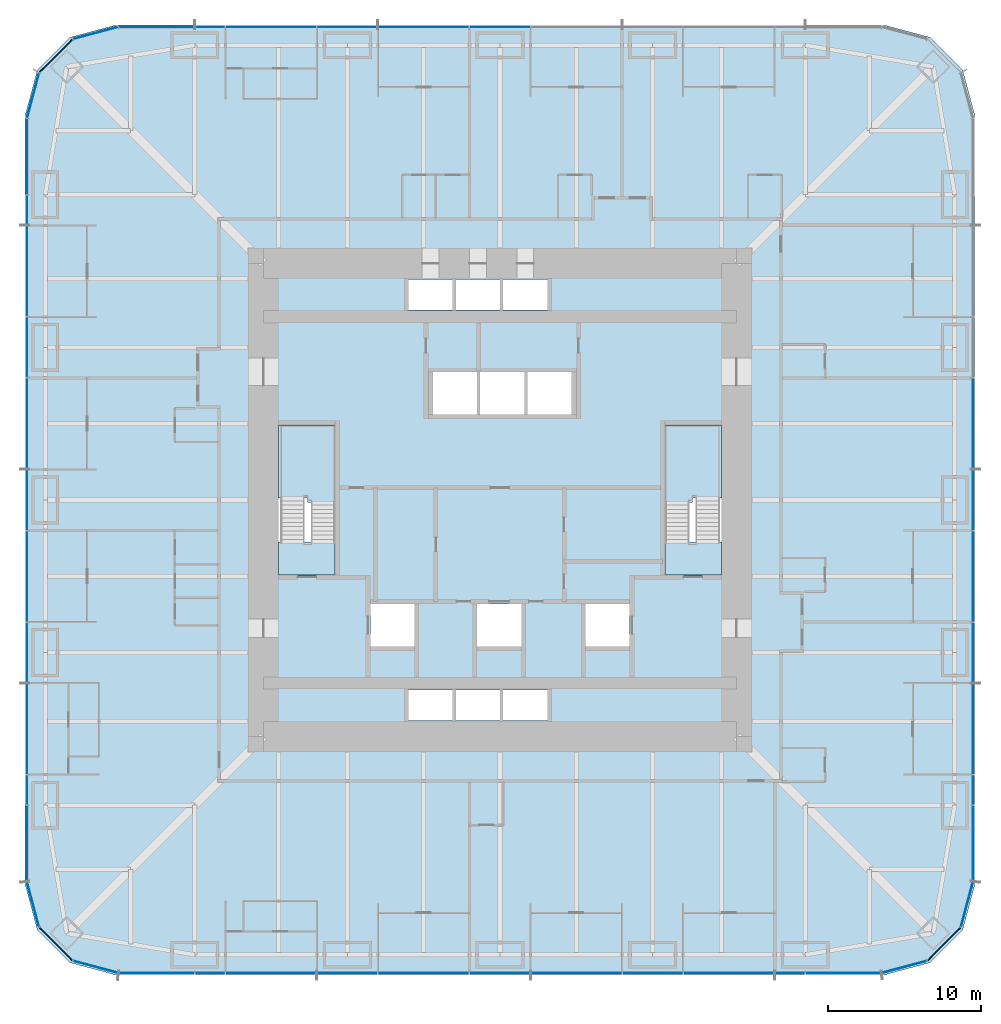
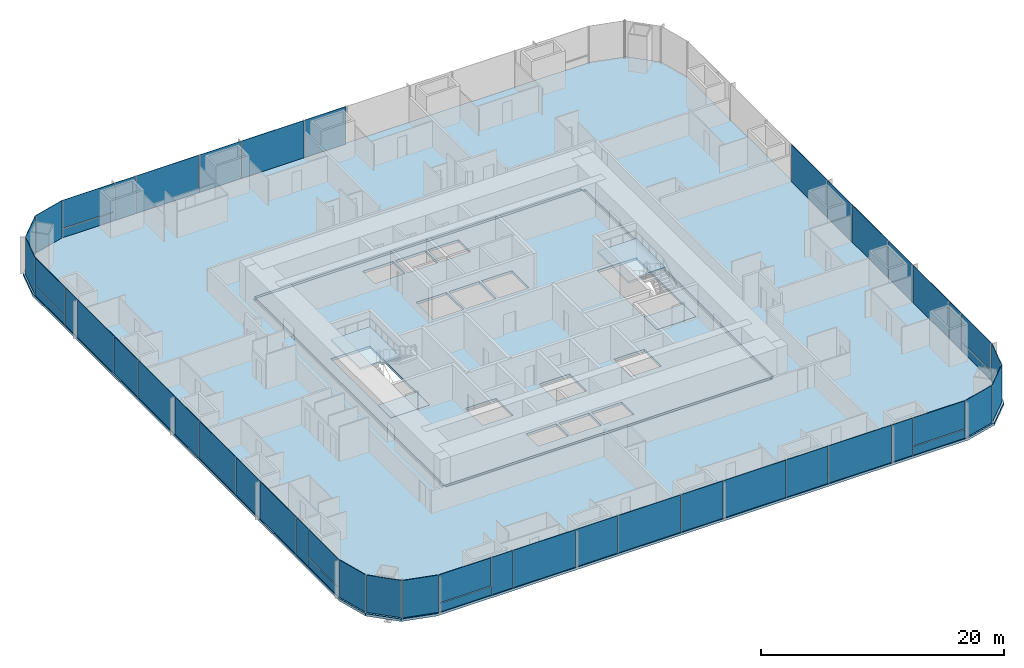
# One storey, part 10 of 17: 50 plates, 6 slabs, 9 elements without a shape of their own.
"""IFC4 building model written with IfcOpenShell, lengths in metres."""

from ifc_helpers import new_model, si_unit, direction, frame, origin, origin_2d, place, context, subcontext, project, spatial, polyline, rectangle, outline, extrude, material, layer, layer_set, type_object, element, aggregate, save


model = new_model("IFC4")

# Units and contexts
model_context = context("Model", 3, precision=1e-05, world=origin(), true_north=direction((0.0, 1.0)))
body_context = subcontext(model_context, "Body", "Model", "MODEL_VIEW")
ifc_project = project(units=[si_unit("LENGTHUNIT", "METRE"), si_unit("AREAUNIT", "SQUARE_METRE"), si_unit("VOLUMEUNIT", "CUBIC_METRE"), si_unit("PLANEANGLEUNIT", "RADIAN"), si_unit("MASSUNIT", "GRAM", prefix="KILO")], contexts=[model_context])

# Site, building, storey
site_placement = place(None, origin())
site = spatial("IfcSite", under=ifc_project, at=site_placement, CompositionType="ELEMENT")
building_placement = place(site_placement, origin())
building = spatial("IfcBuilding", under=site, at=building_placement, Name="Khuree Lantern Residences", CompositionType="ELEMENT")
storey_placement = place(building_placement, frame((0.0, 0.0, 84.75)))
storey = spatial("IfcBuildingStorey", under=building, at=storey_placement, Name="L21", CompositionType="ELEMENT", Elevation=84.75)

# Slab
ifc_material_1 = material(Name="Concrete C35/45", Category="concrete")
ifc_layer_1 = layer(ifc_material_1, 0.25)
ifc_layer_set_1 = layer_set([ifc_layer_1], Name="CFL250 CORE FLOOR SLAB 250")
slab_type_1 = type_object("IfcSlabType", Name="CFL250 CORE FLOOR SLAB 250", PredefinedType="FLOOR", material=ifc_layer_set_1)
slab_1_placement = place(storey_placement, frame((0.0, 0.0, -0.25)))
element("IfcSlab", 1, at=slab_1_placement, inside=storey, type_object=slab_type_1, Name="Core floor L21", PredefinedType="FLOOR", context=body_context, shape_type="SweptSolid", body=[
    extrude(outline(polyline([(-15.5, -15.5), (-15.5, 15.5), (15.5, 15.5), (15.5, -15.5), (-15.5, -15.5)]), holes=[polyline([(14.5, 4.89990234375), (10.800048828125, 4.89990234375), (10.800048828125, -4.89990234375), (14.5, -4.89990234375), (14.5, 4.89990234375)]), polyline([(8.5, -6.800048828125), (5.60009765625, -6.800048828125), (5.60009765625, -9.60009765625), (8.5, -9.60009765625), (8.5, -6.800048828125)]), polyline([(4.699951171875, 8.39990234375), (1.800048828125, 8.39990234375), (1.800048828125, 5.60009765625), (4.699951171875, 5.60009765625), (4.699951171875, 8.39990234375)]), polyline([(0.199951171875, -12.449951171875), (0.199951171875, -14.449951171875), (3.10009765625, -14.449951171875), (3.10009765625, -12.449951171875), (0.199951171875, -12.449951171875)]), polyline([(3.10009765625, 14.449951171875), (0.199951171875, 14.449951171875), (0.199951171875, 12.449951171875), (3.10009765625, 12.449951171875), (3.10009765625, 14.449951171875)]), polyline([(1.60009765625, 8.39990234375), (-1.300048828125, 8.39990234375), (-1.300048828125, 5.60009765625), (1.60009765625, 5.60009765625), (1.60009765625, 8.39990234375)]), polyline([(1.39990234375, -6.800048828125), (-1.5, -6.800048828125), (-1.5, -9.60009765625), (1.39990234375, -9.60009765625), (1.39990234375, -6.800048828125)]), polyline([(0.0, -12.449951171875), (-2.89990234375, -12.449951171875), (-2.89990234375, -14.449951171875), (0.0, -14.449951171875), (0.0, -12.449951171875)]), polyline([(0.0, 14.449951171875), (-2.89990234375, 14.449951171875), (-2.89990234375, 12.449951171875), (0.0, 12.449951171875), (0.0, 14.449951171875)]), polyline([(-1.5, 8.39990234375), (-4.39990234375, 8.39990234375), (-4.39990234375, 5.60009765625), (-1.5, 5.60009765625), (-1.5, 8.39990234375)]), polyline([(-6.0, -12.449951171875), (-6.0, -14.449951171875), (-3.10009765625, -14.449951171875), (-3.10009765625, -12.449951171875), (-6.0, -12.449951171875)]), polyline([(-3.10009765625, 14.449951171875), (-6.0, 14.449951171875), (-6.0, 12.449951171875), (-3.10009765625, 12.449951171875), (-3.10009765625, 14.449951171875)]), polyline([(-5.60009765625, -6.800048828125), (-8.5, -6.800048828125), (-8.5, -9.60009765625), (-5.60009765625, -9.60009765625), (-5.60009765625, -6.800048828125)]), polyline([(-10.800048828125, 4.89990234375), (-14.5, 4.89990234375), (-14.5, -4.89990234375), (-10.800048828125, -4.89990234375), (-10.800048828125, 4.89990234375)])]), origin(), (0.0, 0.0, 1.0), 0.25),
])

# Curtain wall, plates
ifc_material_2 = material(Name="Bronze anodised aluminium", Category="aluminium")
curtain_wall_type_1 = type_object("IfcCurtainWallType", Name="CW-T2 TOWER CORNER CURTAIN WALL", PredefinedType="USERDEFINED", material=ifc_material_2)
curtain_wall_1_placement = place(storey_placement, origin())
curtain_wall_1 = element("IfcCurtainWall", 2, at=curtain_wall_1_placement, inside=storey, type_object=curtain_wall_type_1, Name="L21 SOUTH-EAST CORNER CURTAIN WALL", ObjectType="Faceted corner curtain wall", PredefinedType="USERDEFINED")
ifc_material_3 = material(Name="Bronze tinted triple glazing", Category="glass")
ifc_layer_2 = layer(ifc_material_3, 0.048095703125)
ifc_layer_set_2 = layer_set([ifc_layer_2], Name="FACET PANEL P4")
plate_type_1 = type_object("IfcPlateType", Name="FACET PANEL P4", PredefinedType="CURTAIN_PANEL", material=ifc_layer_set_2)
plate_1_placement = place(storey_placement, frame((26.498046875, -30.5986328125, 0.0), z_axis=(0.0, 0.0, 1.0), x_axis=(0.965925792265, 0.258819172081, 0.0)))
plate_1 = element("IfcPlate", 3, at=plate_1_placement, type_object=plate_type_1, Name="L21 SOUTH-EAST CORNER PANEL 1.1", PredefinedType="CURTAIN_PANEL", context=body_context, shape_type="SweptSolid", body=[
    extrude(rectangle(XDim=3.02978515625, YDim=0.048095703125, at=origin_2d()), origin(), (0.0, 0.0, 1.0), 3.75),
])
plate_2_placement = place(storey_placement, frame((29.09814453125, -29.09814453125, 0.0), z_axis=(0.0, 0.0, 1.0), x_axis=(0.707106781187, 0.707106781187, 0.0)))
plate_2 = element("IfcPlate", 4, at=plate_2_placement, type_object=plate_type_1, Name="L21 SOUTH-EAST CORNER PANEL 2.1", PredefinedType="CURTAIN_PANEL", context=body_context, shape_type="SweptSolid", body=[
    extrude(rectangle(XDim=3.025634765625, YDim=0.048095703125, at=origin_2d()), origin(), (0.0, 0.0, 1.0), 3.75),
])
plate_3_placement = place(storey_placement, frame((30.5986328125, -26.498046875, 0.0), z_axis=(0.0, 0.0, 1.0), x_axis=(0.258819172081, 0.965925792265, 0.0)))
plate_3 = element("IfcPlate", 5, at=plate_3_placement, type_object=plate_type_1, Name="L21 SOUTH-EAST CORNER PANEL 3.1", PredefinedType="CURTAIN_PANEL", context=body_context, shape_type="SweptSolid", body=[
    extrude(rectangle(XDim=3.02978515625, YDim=0.048095703125, at=origin_2d()), origin(), (0.0, 0.0, 1.0), 3.75),
])
aggregate(curtain_wall_1, [plate_1, plate_2, plate_3])

curtain_wall_2_placement = place(storey_placement, origin())
curtain_wall_2 = element("IfcCurtainWall", 6, at=curtain_wall_2_placement, inside=storey, type_object=curtain_wall_type_1, Name="L21 NORTH-WEST CORNER CURTAIN WALL", ObjectType="Faceted corner curtain wall", PredefinedType="USERDEFINED")
plate_4_placement = place(storey_placement, frame((-26.498046875, 30.5986328125, 0.0), z_axis=(0.0, 0.0, 1.0), x_axis=(-0.965925792265, -0.258819172081, 0.0)))
plate_4 = element("IfcPlate", 7, at=plate_4_placement, type_object=plate_type_1, Name="L21 NORTH-WEST CORNER PANEL 29.1", PredefinedType="CURTAIN_PANEL", context=body_context, shape_type="SweptSolid", body=[
    extrude(rectangle(XDim=3.02978515625, YDim=0.048095703125, at=origin_2d()), origin(), (0.0, 0.0, 1.0), 3.75),
])
plate_5_placement = place(storey_placement, frame((-29.09814453125, 29.09814453125, 0.0), z_axis=(0.0, 0.0, 1.0), x_axis=(-0.707106781187, -0.707106781187, 0.0)))
plate_5 = element("IfcPlate", 8, at=plate_5_placement, type_object=plate_type_1, Name="L21 NORTH-WEST CORNER PANEL 30.1", PredefinedType="CURTAIN_PANEL", context=body_context, shape_type="SweptSolid", body=[
    extrude(rectangle(XDim=3.025634765625, YDim=0.048095703125, at=origin_2d()), origin(), (0.0, 0.0, 1.0), 3.75),
])
plate_6_placement = place(storey_placement, frame((-30.5986328125, 26.498046875, 0.0), z_axis=(0.0, 0.0, 1.0), x_axis=(-0.258819172081, -0.965925792265, 0.0)))
plate_6 = element("IfcPlate", 9, at=plate_6_placement, type_object=plate_type_1, Name="L21 NORTH-WEST CORNER PANEL 31.1", PredefinedType="CURTAIN_PANEL", context=body_context, shape_type="SweptSolid", body=[
    extrude(rectangle(XDim=3.02978515625, YDim=0.048095703125, at=origin_2d()), origin(), (0.0, 0.0, 1.0), 3.75),
])
aggregate(curtain_wall_2, [plate_4, plate_5, plate_6])

curtain_wall_3_placement = place(storey_placement, origin())
curtain_wall_3 = element("IfcCurtainWall", 10, at=curtain_wall_3_placement, inside=storey, type_object=curtain_wall_type_1, Name="L21 SOUTH-WEST CORNER CURTAIN WALL", ObjectType="Faceted corner curtain wall", PredefinedType="USERDEFINED")
plate_7_placement = place(storey_placement, frame((-30.5986328125, -26.498046875, 0.0), z_axis=(0.0, 0.0, 1.0), x_axis=(0.258819172081, -0.965925792265, 0.0)))
plate_7 = element("IfcPlate", 11, at=plate_7_placement, type_object=plate_type_1, Name="L21 SOUTH-WEST CORNER PANEL 43.1", PredefinedType="CURTAIN_PANEL", context=body_context, shape_type="SweptSolid", body=[
    extrude(rectangle(XDim=3.02978515625, YDim=0.048095703125, at=origin_2d()), origin(), (0.0, 0.0, 1.0), 3.75),
])
plate_8_placement = place(storey_placement, frame((-29.09814453125, -29.09814453125, 0.0), z_axis=(0.0, 0.0, 1.0), x_axis=(0.707106781187, -0.707106781187, 0.0)))
plate_8 = element("IfcPlate", 12, at=plate_8_placement, type_object=plate_type_1, Name="L21 SOUTH-WEST CORNER PANEL 44.1", PredefinedType="CURTAIN_PANEL", context=body_context, shape_type="SweptSolid", body=[
    extrude(rectangle(XDim=3.025634765625, YDim=0.048095703125, at=origin_2d()), origin(), (0.0, 0.0, 1.0), 3.75),
])
plate_9_placement = place(storey_placement, frame((-26.498046875, -30.5986328125, 0.0), z_axis=(0.0, 0.0, 1.0), x_axis=(0.965925792265, -0.258819172081, 0.0)))
plate_9 = element("IfcPlate", 13, at=plate_9_placement, type_object=plate_type_1, Name="L21 SOUTH-WEST CORNER PANEL 45.1", PredefinedType="CURTAIN_PANEL", context=body_context, shape_type="SweptSolid", body=[
    extrude(rectangle(XDim=3.02978515625, YDim=0.048095703125, at=origin_2d()), origin(), (0.0, 0.0, 1.0), 3.75),
])
aggregate(curtain_wall_3, [plate_7, plate_8, plate_9])

curtain_wall_type_2 = type_object("IfcCurtainWallType", Name="CW-T1 TOWER FACE CURTAIN WALL", PredefinedType="USERDEFINED", material=ifc_material_2)
curtain_wall_4_placement = place(storey_placement, origin())
curtain_wall_4 = element("IfcCurtainWall", 14, at=curtain_wall_4_placement, inside=storey, type_object=curtain_wall_type_2, Name="L21 EAST FACE CURTAIN WALL", ObjectType="Stick-built curtain wall", PredefinedType="USERDEFINED")
ifc_material_4 = material(Name="Bronze tinted triple glazing with a ceramic-fritted spandrel band", Category="glass")
ifc_layer_3 = layer(ifc_material_4, 0.048095703125)
ifc_layer_set_3 = layer_set([ifc_layer_3], Name="FIXED LIGHT PANEL P11")
plate_type_2 = type_object("IfcPlateType", Name="FIXED LIGHT PANEL P11", PredefinedType="CURTAIN_PANEL", material=ifc_layer_set_3)
plate_10_placement = place(storey_placement, frame((31.0, -15.0, 0.0), z_axis=(0.0, 0.0, 1.0), x_axis=(0.0, 1.0, 0.0)))
plate_10 = element("IfcPlate", 15, at=plate_10_placement, type_object=plate_type_2, Name="L21 EAST FACE PANEL 6.1", PredefinedType="CURTAIN_PANEL", context=body_context, shape_type="SweptSolid", body=[
    extrude(rectangle(XDim=5.93505859375, YDim=0.048095703125, at=origin_2d()), origin(), (0.0, 0.0, 1.0), 3.75),
])
plate_11_placement = place(storey_placement, frame((31.0, -5.0, 0.0), z_axis=(0.0, 0.0, 1.0), x_axis=(0.0, 1.0, 0.0)))
plate_11 = element("IfcPlate", 16, at=plate_11_placement, type_object=plate_type_2, Name="L21 EAST FACE PANEL 8.1", PredefinedType="CURTAIN_PANEL", context=body_context, shape_type="SweptSolid", body=[
    extrude(rectangle(XDim=5.93505859375, YDim=0.048095703125, at=origin_2d()), origin(), (0.0, 0.0, 1.0), 3.75),
])
plate_12_placement = place(storey_placement, frame((31.0, 5.0, 0.0), z_axis=(0.0, 0.0, 1.0), x_axis=(0.0, 1.0, 0.0)))
plate_12 = element("IfcPlate", 17, at=plate_12_placement, type_object=plate_type_2, Name="L21 EAST FACE PANEL 10.1", PredefinedType="CURTAIN_PANEL", context=body_context, shape_type="SweptSolid", body=[
    extrude(rectangle(XDim=5.93505859375, YDim=0.048095703125, at=origin_2d()), origin(), (0.0, 0.0, 1.0), 3.75),
])

curtain_wall_5_placement = place(storey_placement, origin())
curtain_wall_5 = element("IfcCurtainWall", 18, at=curtain_wall_5_placement, inside=storey, type_object=curtain_wall_type_2, Name="L21 NORTH FACE CURTAIN WALL", ObjectType="Stick-built curtain wall", PredefinedType="USERDEFINED")
plate_13_placement = place(storey_placement, frame((-5.0, 31.0, 0.0), z_axis=(0.0, 0.0, 1.0), x_axis=(-1.0, 0.0, 0.0)))
plate_13 = element("IfcPlate", 19, at=plate_13_placement, type_object=plate_type_2, Name="L21 NORTH FACE PANEL 24.1", PredefinedType="CURTAIN_PANEL", context=body_context, shape_type="SweptSolid", body=[
    extrude(rectangle(XDim=5.93505859375, YDim=0.048095703125, at=origin_2d()), origin(), (0.0, 0.0, 1.0), 3.75),
])
plate_14_placement = place(storey_placement, frame((-15.0, 31.0, 0.0), z_axis=(0.0, 0.0, 1.0), x_axis=(-1.0, 0.0, 0.0)))
plate_14 = element("IfcPlate", 20, at=plate_14_placement, type_object=plate_type_2, Name="L21 NORTH FACE PANEL 26.1", PredefinedType="CURTAIN_PANEL", context=body_context, shape_type="SweptSolid", body=[
    extrude(rectangle(XDim=5.93505859375, YDim=0.048095703125, at=origin_2d()), origin(), (0.0, 0.0, 1.0), 3.75),
])

curtain_wall_6_placement = place(storey_placement, origin())
curtain_wall_6 = element("IfcCurtainWall", 21, at=curtain_wall_6_placement, inside=storey, type_object=curtain_wall_type_2, Name="L21 WEST FACE CURTAIN WALL", ObjectType="Stick-built curtain wall", PredefinedType="USERDEFINED")
plate_15_placement = place(storey_placement, frame((-31.0, 15.0, 0.0), z_axis=(0.0, 0.0, 1.0), x_axis=(0.0, -1.0, 0.0)))
plate_15 = element("IfcPlate", 22, at=plate_15_placement, type_object=plate_type_2, Name="L21 WEST FACE PANEL 34.1", PredefinedType="CURTAIN_PANEL", context=body_context, shape_type="SweptSolid", body=[
    extrude(rectangle(XDim=5.93505859375, YDim=0.048095703125, at=origin_2d()), origin(), (0.0, 0.0, 1.0), 3.75),
])
plate_16_placement = place(storey_placement, frame((-31.0, 5.0, 0.0), z_axis=(0.0, 0.0, 1.0), x_axis=(0.0, -1.0, 0.0)))
plate_16 = element("IfcPlate", 23, at=plate_16_placement, type_object=plate_type_2, Name="L21 WEST FACE PANEL 36.1", PredefinedType="CURTAIN_PANEL", context=body_context, shape_type="SweptSolid", body=[
    extrude(rectangle(XDim=5.93505859375, YDim=0.048095703125, at=origin_2d()), origin(), (0.0, 0.0, 1.0), 3.75),
])
plate_17_placement = place(storey_placement, frame((-31.0, -5.0, 0.0), z_axis=(0.0, 0.0, 1.0), x_axis=(0.0, -1.0, 0.0)))
plate_17 = element("IfcPlate", 24, at=plate_17_placement, type_object=plate_type_2, Name="L21 WEST FACE PANEL 38.1", PredefinedType="CURTAIN_PANEL", context=body_context, shape_type="SweptSolid", body=[
    extrude(rectangle(XDim=5.93505859375, YDim=0.048095703125, at=origin_2d()), origin(), (0.0, 0.0, 1.0), 3.75),
])
plate_18_placement = place(storey_placement, frame((-31.0, -15.0, 0.0), z_axis=(0.0, 0.0, 1.0), x_axis=(0.0, -1.0, 0.0)))
plate_18 = element("IfcPlate", 25, at=plate_18_placement, type_object=plate_type_2, Name="L21 WEST FACE PANEL 40.1", PredefinedType="CURTAIN_PANEL", context=body_context, shape_type="SweptSolid", body=[
    extrude(rectangle(XDim=5.93505859375, YDim=0.048095703125, at=origin_2d()), origin(), (0.0, 0.0, 1.0), 3.75),
])

curtain_wall_7_placement = place(storey_placement, origin())
curtain_wall_7 = element("IfcCurtainWall", 26, at=curtain_wall_7_placement, inside=storey, type_object=curtain_wall_type_2, Name="L21 SOUTH FACE CURTAIN WALL", ObjectType="Stick-built curtain wall", PredefinedType="USERDEFINED")
plate_19_placement = place(storey_placement, frame((-15.0, -31.0, 0.0), z_axis=(0.0, 0.0, 1.0), x_axis=(1.0, 0.0, 0.0)))
plate_19 = element("IfcPlate", 27, at=plate_19_placement, type_object=plate_type_2, Name="L21 SOUTH FACE PANEL 48.1", PredefinedType="CURTAIN_PANEL", context=body_context, shape_type="SweptSolid", body=[
    extrude(rectangle(XDim=5.93505859375, YDim=0.048095703125, at=origin_2d()), origin(), (0.0, 0.0, 1.0), 3.75),
])
plate_20_placement = place(storey_placement, frame((-5.0, -31.0, 0.0), z_axis=(0.0, 0.0, 1.0), x_axis=(1.0, 0.0, 0.0)))
plate_20 = element("IfcPlate", 28, at=plate_20_placement, type_object=plate_type_2, Name="L21 SOUTH FACE PANEL 50.1", PredefinedType="CURTAIN_PANEL", context=body_context, shape_type="SweptSolid", body=[
    extrude(rectangle(XDim=5.93505859375, YDim=0.048095703125, at=origin_2d()), origin(), (0.0, 0.0, 1.0), 3.75),
])
plate_21_placement = place(storey_placement, frame((5.0, -31.0, 0.0), z_axis=(0.0, 0.0, 1.0), x_axis=(1.0, 0.0, 0.0)))
plate_21 = element("IfcPlate", 29, at=plate_21_placement, type_object=plate_type_2, Name="L21 SOUTH FACE PANEL 52.1", PredefinedType="CURTAIN_PANEL", context=body_context, shape_type="SweptSolid", body=[
    extrude(rectangle(XDim=5.93505859375, YDim=0.048095703125, at=origin_2d()), origin(), (0.0, 0.0, 1.0), 3.75),
])
plate_22_placement = place(storey_placement, frame((15.0, -31.0, 0.0), z_axis=(0.0, 0.0, 1.0), x_axis=(1.0, 0.0, 0.0)))
plate_22 = element("IfcPlate", 30, at=plate_22_placement, type_object=plate_type_2, Name="L21 SOUTH FACE PANEL 54.1", PredefinedType="CURTAIN_PANEL", context=body_context, shape_type="SweptSolid", body=[
    extrude(rectangle(XDim=5.93505859375, YDim=0.048095703125, at=origin_2d()), origin(), (0.0, 0.0, 1.0), 3.75),
])

# Slab
ifc_layer_4 = layer(ifc_material_1, 0.25)
ifc_layer_set_4 = layer_set([ifc_layer_4], Name="FS250 FLOOR SLAB 250")
slab_type_2 = type_object("IfcSlabType", Name="FS250 FLOOR SLAB 250", PredefinedType="FLOOR", material=ifc_layer_set_4)
slab_2_placement = place(storey_placement, frame((0.0, 0.0, -0.25)))
element("IfcSlab", 31, at=slab_2_placement, inside=storey, type_object=slab_type_2, Name="Floor slab L21", PredefinedType="FLOOR", context=body_context, shape_type="SweptSolid", body=[
    extrude(outline(polyline([(-28.175048828125, -30.316162109375), (-30.316162109375, -28.175048828125), (-31.10009765625, -25.25), (-31.10009765625, 25.25), (-30.316162109375, 28.175048828125), (-28.175048828125, 30.316162109375), (-25.25, 31.10009765625), (25.25, 31.10009765625), (28.175048828125, 30.316162109375), (30.316162109375, 28.175048828125), (31.10009765625, 25.25), (31.10009765625, -25.25), (30.316162109375, -28.175048828125), (28.175048828125, -30.316162109375), (25.25, -31.10009765625), (-25.25, -31.10009765625), (-28.175048828125, -30.316162109375)]), holes=[polyline([(15.75, 15.5), (15.5, 15.5), (15.5, 15.75), (-15.5, 15.75), (-15.5, 15.5), (-15.75, 15.5), (-15.75, -15.5), (-15.5, -15.5), (-15.5, -15.75), (15.5, -15.75), (15.5, -15.5), (15.75, -15.5), (15.75, 15.5)])]), origin(), (0.0, 0.0, 1.0), 0.25),
])

# Plate
ifc_material_5 = material(Name="Bronze tinted triple glazing, two aluminium-framed sashes in one frame", Category="aluminium")
ifc_layer_5 = layer(ifc_material_5, 0.048095703125)
ifc_layer_set_5 = layer_set([ifc_layer_5], Name="SASH PAIR PANEL P12")
plate_type_3 = type_object("IfcPlateType", Name="SASH PAIR PANEL P12", PredefinedType="CURTAIN_PANEL", material=ifc_layer_set_5)
plate_23_placement = place(storey_placement, frame((31.0, -10.0, 0.0), z_axis=(0.0, 0.0, 1.0), x_axis=(0.0, 1.0, 0.0)))
plate_23 = element("IfcPlate", 32, at=plate_23_placement, type_object=plate_type_3, Name="L21 EAST FACE PANEL 7.1", PredefinedType="CURTAIN_PANEL", context=body_context, shape_type="SweptSolid", body=[
    extrude(rectangle(XDim=3.93505859375, YDim=0.048095703125, at=origin_2d()), origin(), (0.0, 0.0, 1.0), 3.75),
])

plate_24_placement = place(storey_placement, frame((31.0, 0.0, 0.0), z_axis=(0.0, 0.0, 1.0), x_axis=(0.0, 1.0, 0.0)))
plate_24 = element("IfcPlate", 33, at=plate_24_placement, type_object=plate_type_3, Name="L21 EAST FACE PANEL 9.1", PredefinedType="CURTAIN_PANEL", context=body_context, shape_type="SweptSolid", body=[
    extrude(rectangle(XDim=3.93505859375, YDim=0.048095703125, at=origin_2d()), origin(), (0.0, 0.0, 1.0), 3.75),
])

plate_25_placement = place(storey_placement, frame((0.0, 31.0, 0.0), z_axis=(0.0, 0.0, 1.0), x_axis=(-1.0, 0.0, 0.0)))
plate_25 = element("IfcPlate", 34, at=plate_25_placement, type_object=plate_type_3, Name="L21 NORTH FACE PANEL 23.1", PredefinedType="CURTAIN_PANEL", context=body_context, shape_type="SweptSolid", body=[
    extrude(rectangle(XDim=3.93505859375, YDim=0.048095703125, at=origin_2d()), origin(), (0.0, 0.0, 1.0), 3.75),
])

plate_26_placement = place(storey_placement, frame((-10.0, 31.0, 0.0), z_axis=(0.0, 0.0, 1.0), x_axis=(-1.0, 0.0, 0.0)))
plate_26 = element("IfcPlate", 35, at=plate_26_placement, type_object=plate_type_3, Name="L21 NORTH FACE PANEL 25.1", PredefinedType="CURTAIN_PANEL", context=body_context, shape_type="SweptSolid", body=[
    extrude(rectangle(XDim=3.93505859375, YDim=0.048095703125, at=origin_2d()), origin(), (0.0, 0.0, 1.0), 3.75),
])

plate_27_placement = place(storey_placement, frame((-31.0, 10.0, 0.0), z_axis=(0.0, 0.0, 1.0), x_axis=(0.0, -1.0, 0.0)))
plate_27 = element("IfcPlate", 36, at=plate_27_placement, type_object=plate_type_3, Name="L21 WEST FACE PANEL 35.1", PredefinedType="CURTAIN_PANEL", context=body_context, shape_type="SweptSolid", body=[
    extrude(rectangle(XDim=3.93505859375, YDim=0.048095703125, at=origin_2d()), origin(), (0.0, 0.0, 1.0), 3.75),
])

plate_28_placement = place(storey_placement, frame((-31.0, 0.0, 0.0), z_axis=(0.0, 0.0, 1.0), x_axis=(0.0, -1.0, 0.0)))
plate_28 = element("IfcPlate", 37, at=plate_28_placement, type_object=plate_type_3, Name="L21 WEST FACE PANEL 37.1", PredefinedType="CURTAIN_PANEL", context=body_context, shape_type="SweptSolid", body=[
    extrude(rectangle(XDim=3.93505859375, YDim=0.048095703125, at=origin_2d()), origin(), (0.0, 0.0, 1.0), 3.75),
])

plate_29_placement = place(storey_placement, frame((-31.0, -10.0, 0.0), z_axis=(0.0, 0.0, 1.0), x_axis=(0.0, -1.0, 0.0)))
plate_29 = element("IfcPlate", 38, at=plate_29_placement, type_object=plate_type_3, Name="L21 WEST FACE PANEL 39.1", PredefinedType="CURTAIN_PANEL", context=body_context, shape_type="SweptSolid", body=[
    extrude(rectangle(XDim=3.93505859375, YDim=0.048095703125, at=origin_2d()), origin(), (0.0, 0.0, 1.0), 3.75),
])

plate_30_placement = place(storey_placement, frame((-10.0, -31.0, 0.0), z_axis=(0.0, 0.0, 1.0), x_axis=(1.0, 0.0, 0.0)))
plate_30 = element("IfcPlate", 39, at=plate_30_placement, type_object=plate_type_3, Name="L21 SOUTH FACE PANEL 49.1", PredefinedType="CURTAIN_PANEL", context=body_context, shape_type="SweptSolid", body=[
    extrude(rectangle(XDim=3.93505859375, YDim=0.048095703125, at=origin_2d()), origin(), (0.0, 0.0, 1.0), 3.75),
])

plate_31_placement = place(storey_placement, frame((0.0, -31.0, 0.0), z_axis=(0.0, 0.0, 1.0), x_axis=(1.0, 0.0, 0.0)))
plate_31 = element("IfcPlate", 40, at=plate_31_placement, type_object=plate_type_3, Name="L21 SOUTH FACE PANEL 51.1", PredefinedType="CURTAIN_PANEL", context=body_context, shape_type="SweptSolid", body=[
    extrude(rectangle(XDim=3.93505859375, YDim=0.048095703125, at=origin_2d()), origin(), (0.0, 0.0, 1.0), 3.75),
])

plate_32_placement = place(storey_placement, frame((10.0, -31.0, 0.0), z_axis=(0.0, 0.0, 1.0), x_axis=(1.0, 0.0, 0.0)))
plate_32 = element("IfcPlate", 41, at=plate_32_placement, type_object=plate_type_3, Name="L21 SOUTH FACE PANEL 53.1", PredefinedType="CURTAIN_PANEL", context=body_context, shape_type="SweptSolid", body=[
    extrude(rectangle(XDim=3.93505859375, YDim=0.048095703125, at=origin_2d()), origin(), (0.0, 0.0, 1.0), 3.75),
])

ifc_material_6 = material(Name="Bronze tinted triple glazing, aluminium-framed sash", Category="aluminium")
ifc_layer_6 = layer(ifc_material_6, 0.048095703125)
ifc_layer_set_6 = layer_set([ifc_layer_6], Name="SASH PANEL P3")
plate_type_4 = type_object("IfcPlateType", Name="SASH PANEL P3", PredefinedType="CURTAIN_PANEL", material=ifc_layer_set_6)
plate_33_placement = place(storey_placement, frame((31.0, -19.0, 0.0), z_axis=(0.0, 0.0, 1.0), x_axis=(0.0, 1.0, 0.0)))
plate_33 = element("IfcPlate", 42, at=plate_33_placement, type_object=plate_type_4, Name="L21 EAST FACE PANEL 5.1", PredefinedType="CURTAIN_PANEL", context=body_context, shape_type="SweptSolid", body=[
    extrude(rectangle(XDim=1.93505859375, YDim=0.048095703125, at=origin_2d()), origin(), (0.0, 0.0, 1.0), 3.75),
])

plate_34_placement = place(storey_placement, frame((-19.0, 31.0, 0.0), z_axis=(0.0, 0.0, 1.0), x_axis=(-1.0, 0.0, 0.0)))
plate_34 = element("IfcPlate", 43, at=plate_34_placement, type_object=plate_type_4, Name="L21 NORTH FACE PANEL 27.1", PredefinedType="CURTAIN_PANEL", context=body_context, shape_type="SweptSolid", body=[
    extrude(rectangle(XDim=1.93505859375, YDim=0.048095703125, at=origin_2d()), origin(), (0.0, 0.0, 1.0), 3.75),
])

plate_35_placement = place(storey_placement, frame((-31.0, 19.0, 0.0), z_axis=(0.0, 0.0, 1.0), x_axis=(0.0, -1.0, 0.0)))
plate_35 = element("IfcPlate", 44, at=plate_35_placement, type_object=plate_type_4, Name="L21 WEST FACE PANEL 33.1", PredefinedType="CURTAIN_PANEL", context=body_context, shape_type="SweptSolid", body=[
    extrude(rectangle(XDim=1.93505859375, YDim=0.048095703125, at=origin_2d()), origin(), (0.0, 0.0, 1.0), 3.75),
])

plate_36_placement = place(storey_placement, frame((-31.0, -19.0, 0.0), z_axis=(0.0, 0.0, 1.0), x_axis=(0.0, -1.0, 0.0)))
plate_36 = element("IfcPlate", 45, at=plate_36_placement, type_object=plate_type_4, Name="L21 WEST FACE PANEL 41.1", PredefinedType="CURTAIN_PANEL", context=body_context, shape_type="SweptSolid", body=[
    extrude(rectangle(XDim=1.93505859375, YDim=0.048095703125, at=origin_2d()), origin(), (0.0, 0.0, 1.0), 3.75),
])

plate_37_placement = place(storey_placement, frame((-19.0, -31.0, 0.0), z_axis=(0.0, 0.0, 1.0), x_axis=(1.0, 0.0, 0.0)))
plate_37 = element("IfcPlate", 46, at=plate_37_placement, type_object=plate_type_4, Name="L21 SOUTH FACE PANEL 47.1", PredefinedType="CURTAIN_PANEL", context=body_context, shape_type="SweptSolid", body=[
    extrude(rectangle(XDim=1.93505859375, YDim=0.048095703125, at=origin_2d()), origin(), (0.0, 0.0, 1.0), 3.75),
])

plate_38_placement = place(storey_placement, frame((19.0, -31.0, 0.0), z_axis=(0.0, 0.0, 1.0), x_axis=(1.0, 0.0, 0.0)))
plate_38 = element("IfcPlate", 47, at=plate_38_placement, type_object=plate_type_4, Name="L21 SOUTH FACE PANEL 55.1", PredefinedType="CURTAIN_PANEL", context=body_context, shape_type="SweptSolid", body=[
    extrude(rectangle(XDim=1.93505859375, YDim=0.048095703125, at=origin_2d()), origin(), (0.0, 0.0, 1.0), 3.75),
])

ifc_material_7 = material(Name="Bronze anodised aluminium insulated spandrel", Category="aluminium")
ifc_layer_7 = layer(ifc_material_7, 0.06005859375)
ifc_layer_set_7 = layer_set([ifc_layer_7], Name="SPANDREL PANEL P2")
plate_type_5 = type_object("IfcPlateType", Name="SPANDREL PANEL P2", PredefinedType="CURTAIN_PANEL", material=ifc_layer_set_7)
plate_39_placement = place(storey_placement, frame((31.0, -22.497802734375, 0.0), z_axis=(0.0, 0.0, 1.0), x_axis=(0.0, 1.0, 0.0)))
plate_39 = element("IfcPlate", 48, at=plate_39_placement, type_object=plate_type_5, Name="L21 EAST FACE PANEL 4.1", PredefinedType="CURTAIN_PANEL", context=body_context, shape_type="SweptSolid", body=[
    extrude(rectangle(XDim=4.9306640625, YDim=0.06005859375, at=origin_2d()), origin(), (0.0, 0.0, 1.0), 0.867431640625),
])

plate_40_placement = place(storey_placement, frame((-22.497802734375, 31.0, 0.0), z_axis=(0.0, 0.0, 1.0), x_axis=(-1.0, 0.0, 0.0)))
plate_40 = element("IfcPlate", 49, at=plate_40_placement, type_object=plate_type_5, Name="L21 NORTH FACE PANEL 28.1", PredefinedType="CURTAIN_PANEL", context=body_context, shape_type="SweptSolid", body=[
    extrude(rectangle(XDim=4.9306640625, YDim=0.06005859375, at=origin_2d()), origin(), (0.0, 0.0, 1.0), 0.867431640625),
])

plate_41_placement = place(storey_placement, frame((-31.0, 22.497802734375, 0.0), z_axis=(0.0, 0.0, 1.0), x_axis=(0.0, -1.0, 0.0)))
plate_41 = element("IfcPlate", 50, at=plate_41_placement, type_object=plate_type_5, Name="L21 WEST FACE PANEL 32.1", PredefinedType="CURTAIN_PANEL", context=body_context, shape_type="SweptSolid", body=[
    extrude(rectangle(XDim=4.9306640625, YDim=0.06005859375, at=origin_2d()), origin(), (0.0, 0.0, 1.0), 0.867431640625),
])

plate_42_placement = place(storey_placement, frame((-31.0, -22.497802734375, 0.0), z_axis=(0.0, 0.0, 1.0), x_axis=(0.0, -1.0, 0.0)))
plate_42 = element("IfcPlate", 51, at=plate_42_placement, type_object=plate_type_5, Name="L21 WEST FACE PANEL 42.1", PredefinedType="CURTAIN_PANEL", context=body_context, shape_type="SweptSolid", body=[
    extrude(rectangle(XDim=4.9306640625, YDim=0.06005859375, at=origin_2d()), origin(), (0.0, 0.0, 1.0), 0.867431640625),
])

plate_43_placement = place(storey_placement, frame((-22.497802734375, -31.0, 0.0), z_axis=(0.0, 0.0, 1.0), x_axis=(1.0, 0.0, 0.0)))
plate_43 = element("IfcPlate", 52, at=plate_43_placement, type_object=plate_type_5, Name="L21 SOUTH FACE PANEL 46.1", PredefinedType="CURTAIN_PANEL", context=body_context, shape_type="SweptSolid", body=[
    extrude(rectangle(XDim=4.9306640625, YDim=0.06005859375, at=origin_2d()), origin(), (0.0, 0.0, 1.0), 0.867431640625),
])

plate_44_placement = place(storey_placement, frame((22.497802734375, -31.0, 0.0), z_axis=(0.0, 0.0, 1.0), x_axis=(1.0, 0.0, 0.0)))
plate_44 = element("IfcPlate", 53, at=plate_44_placement, type_object=plate_type_5, Name="L21 SOUTH FACE PANEL 56.1", PredefinedType="CURTAIN_PANEL", context=body_context, shape_type="SweptSolid", body=[
    extrude(rectangle(XDim=4.9306640625, YDim=0.06005859375, at=origin_2d()), origin(), (0.0, 0.0, 1.0), 0.867431640625),
])

# Stair, slabs
ifc_material_8 = material(Name="Concrete C40/50", Category="concrete")
stair_type = type_object("IfcStairType", Name="STAIR ST1 HALF TURN 3600", PredefinedType="HALF_TURN_STAIR", material=ifc_material_8)
stair_1_placement = place(storey_placement, origin())
stair_1 = element("IfcStair", 54, at=stair_1_placement, inside=storey, type_object=stair_type, Name="Stair ST1", PredefinedType="HALF_TURN_STAIR")
ifc_layer_8 = layer(ifc_material_8, 0.199951171875)
ifc_layer_set_8 = layer_set([ifc_layer_8], Name="STAIR LANDING SL1 200")
slab_type_3 = type_object("IfcSlabType", Name="STAIR LANDING SL1 200", PredefinedType="LANDING", material=ifc_layer_set_8)
slab_3_placement = place(storey_placement, frame((0.0, 0.0, -0.199951171875)))
slab_3 = element("IfcSlab", 55, at=slab_3_placement, type_object=slab_type_3, Name="ST1 landing 1", PredefinedType="LANDING", context=body_context, shape_type="SweptSolid", body=[
    extrude(outline(polyline([(-14.5, -4.89990234375), (-10.800048828125, -4.89990234375), (-10.800048828125, -2.760009765625), (-14.5, -2.760009765625), (-14.5, -4.89990234375)])), origin(), (0.0, 0.0, 1.0), 0.199951171875),
])
slab_4_placement = place(storey_placement, frame((0.0, 0.0, 1.756591796875)))
slab_4 = element("IfcSlab", 56, at=slab_4_placement, type_object=slab_type_3, Name="ST1 landing 2", PredefinedType="LANDING", context=body_context, shape_type="SweptSolid", body=[
    extrude(outline(polyline([(-14.5, 0.1201171875), (-14.5, 4.89990234375), (-10.800048828125, 4.89990234375), (-10.800048828125, -0.159912109375), (-12.60009765625, -0.159912109375), (-12.60009765625, 0.1201171875), (-14.5, 0.1201171875)])), origin(), (0.0, 0.0, 1.0), 0.199951171875),
])
aggregate(stair_1, [slab_3, slab_4])

stair_2_placement = place(storey_placement, origin())
stair_2 = element("IfcStair", 57, at=stair_2_placement, inside=storey, type_object=stair_type, Name="Stair ST2", PredefinedType="HALF_TURN_STAIR")
slab_5_placement = place(storey_placement, frame((0.0, 0.0, -0.199951171875)))
slab_5 = element("IfcSlab", 58, at=slab_5_placement, type_object=slab_type_3, Name="ST2 landing 1", PredefinedType="LANDING", context=body_context, shape_type="SweptSolid", body=[
    extrude(outline(polyline([(10.800048828125, -4.89990234375), (14.5, -4.89990234375), (14.5, -2.760009765625), (10.800048828125, -2.760009765625), (10.800048828125, -4.89990234375)])), origin(), (0.0, 0.0, 1.0), 0.199951171875),
])
slab_6_placement = place(storey_placement, frame((0.0, 0.0, 1.756591796875)))
slab_6 = element("IfcSlab", 59, at=slab_6_placement, type_object=slab_type_3, Name="ST2 landing 2", PredefinedType="LANDING", context=body_context, shape_type="SweptSolid", body=[
    extrude(outline(polyline([(14.5, 4.89990234375), (14.5, 0.1201171875), (12.60009765625, 0.1201171875), (12.60009765625, -0.159912109375), (10.800048828125, -0.159912109375), (10.800048828125, 4.89990234375), (14.5, 4.89990234375)])), origin(), (0.0, 0.0, 1.0), 0.199951171875),
])
aggregate(stair_2, [slab_5, slab_6])

# Plate
ifc_layer_9 = layer(ifc_material_3, 0.048095703125)
ifc_layer_set_9 = layer_set([ifc_layer_9], Name="VISION PANEL P1")
plate_type_6 = type_object("IfcPlateType", Name="VISION PANEL P1", PredefinedType="CURTAIN_PANEL", material=ifc_layer_set_9)
plate_45_placement = place(storey_placement, frame((31.0, -22.498291015625, 0.9326171875), z_axis=(0.0, 0.0, 1.0), x_axis=(0.0, 1.0, 0.0)))
plate_45 = element("IfcPlate", 60, at=plate_45_placement, type_object=plate_type_6, Name="L21 EAST FACE PANEL 4.2", PredefinedType="CURTAIN_PANEL", context=body_context, shape_type="SweptSolid", body=[
    extrude(rectangle(XDim=4.931640625, YDim=0.048095703125, at=origin_2d()), origin(), (0.0, 0.0, 1.0), 2.8173828125),
])

aggregate(curtain_wall_4, [plate_39, plate_45, plate_33, plate_10, plate_23, plate_11, plate_24, plate_12])

plate_46_placement = place(storey_placement, frame((-22.498291015625, 31.0, 0.9326171875), z_axis=(0.0, 0.0, 1.0), x_axis=(-1.0, 0.0, 0.0)))
plate_46 = element("IfcPlate", 61, at=plate_46_placement, type_object=plate_type_6, Name="L21 NORTH FACE PANEL 28.2", PredefinedType="CURTAIN_PANEL", context=body_context, shape_type="SweptSolid", body=[
    extrude(rectangle(XDim=4.931640625, YDim=0.048095703125, at=origin_2d()), origin(), (0.0, 0.0, 1.0), 2.8173828125),
])

aggregate(curtain_wall_5, [plate_25, plate_13, plate_26, plate_14, plate_34, plate_40, plate_46])

plate_47_placement = place(storey_placement, frame((-31.0, 22.498291015625, 0.9326171875), z_axis=(0.0, 0.0, 1.0), x_axis=(0.0, -1.0, 0.0)))
plate_47 = element("IfcPlate", 62, at=plate_47_placement, type_object=plate_type_6, Name="L21 WEST FACE PANEL 32.2", PredefinedType="CURTAIN_PANEL", context=body_context, shape_type="SweptSolid", body=[
    extrude(rectangle(XDim=4.931640625, YDim=0.048095703125, at=origin_2d()), origin(), (0.0, 0.0, 1.0), 2.8173828125),
])

plate_48_placement = place(storey_placement, frame((-31.0, -22.498291015625, 0.9326171875), z_axis=(0.0, 0.0, 1.0), x_axis=(0.0, -1.0, 0.0)))
plate_48 = element("IfcPlate", 63, at=plate_48_placement, type_object=plate_type_6, Name="L21 WEST FACE PANEL 42.2", PredefinedType="CURTAIN_PANEL", context=body_context, shape_type="SweptSolid", body=[
    extrude(rectangle(XDim=4.931640625, YDim=0.048095703125, at=origin_2d()), origin(), (0.0, 0.0, 1.0), 2.8173828125),
])

aggregate(curtain_wall_6, [plate_41, plate_47, plate_35, plate_15, plate_27, plate_16, plate_28, plate_17, plate_29, plate_18, plate_36, plate_42, plate_48])

plate_49_placement = place(storey_placement, frame((-22.498291015625, -31.0, 0.9326171875), z_axis=(0.0, 0.0, 1.0), x_axis=(1.0, 0.0, 0.0)))
plate_49 = element("IfcPlate", 64, at=plate_49_placement, type_object=plate_type_6, Name="L21 SOUTH FACE PANEL 46.2", PredefinedType="CURTAIN_PANEL", context=body_context, shape_type="SweptSolid", body=[
    extrude(rectangle(XDim=4.931640625, YDim=0.048095703125, at=origin_2d()), origin(), (0.0, 0.0, 1.0), 2.8173828125),
])

plate_50_placement = place(storey_placement, frame((22.498291015625, -31.0, 0.9326171875), z_axis=(0.0, 0.0, 1.0), x_axis=(1.0, 0.0, 0.0)))
plate_50 = element("IfcPlate", 65, at=plate_50_placement, type_object=plate_type_6, Name="L21 SOUTH FACE PANEL 56.2", PredefinedType="CURTAIN_PANEL", context=body_context, shape_type="SweptSolid", body=[
    extrude(rectangle(XDim=4.931640625, YDim=0.048095703125, at=origin_2d()), origin(), (0.0, 0.0, 1.0), 2.8173828125),
])

aggregate(curtain_wall_7, [plate_43, plate_49, plate_37, plate_19, plate_30, plate_20, plate_31, plate_21, plate_32, plate_22, plate_38, plate_44, plate_50])

save(model, "model.ifc")
